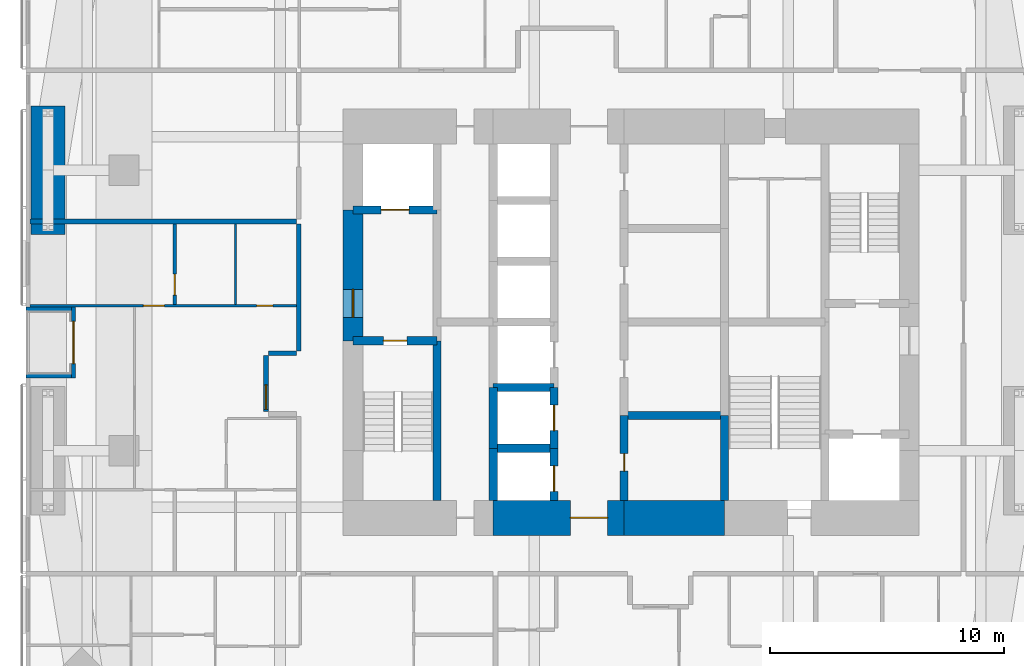
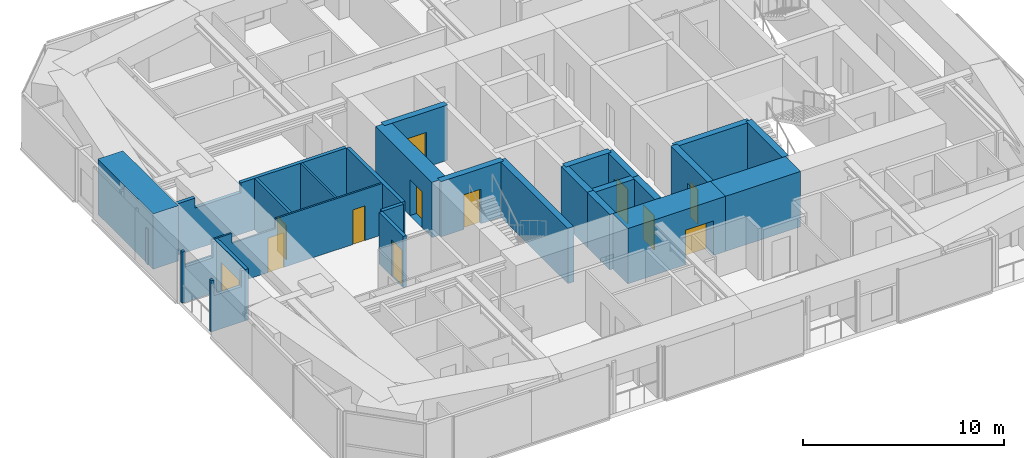
# One storey, part 18 of 23: 26 walls, 12 doors, 12 openings.
"""IFC4 building model written with IfcOpenShell, lengths in metres."""

from ifc_helpers import new_model, si_unit, direction, frame, frame_2d, origin, place, context, subcontext, project, spatial, polyline, rectangle, outline, extrude, material, layer, layer_set, constituent, constituent_set, type_object, element, fill, save


model = new_model("IFC4")

# Units and contexts
model_context = context("Model", 3, precision=1e-05, world=origin(), true_north=direction((0.0, 1.0)))
body_context = subcontext(model_context, "Body", "Model", "MODEL_VIEW")
ifc_project = project(units=[si_unit("LENGTHUNIT", "METRE"), si_unit("AREAUNIT", "SQUARE_METRE"), si_unit("VOLUMEUNIT", "CUBIC_METRE"), si_unit("PLANEANGLEUNIT", "RADIAN"), si_unit("MASSUNIT", "GRAM", prefix="KILO")], contexts=[model_context])

# Site, building, storey
site_placement = place(None, origin())
site = spatial("IfcSite", under=ifc_project, at=site_placement, CompositionType="ELEMENT")
building_placement = place(site_placement, origin())
building = spatial("IfcBuilding", under=site, at=building_placement, Name="Jalousie Tower", CompositionType="ELEMENT")
storey_placement = place(building_placement, frame((0.0, 0.0, 104.85009765625)))
storey = spatial("IfcBuildingStorey", under=building, at=storey_placement, Name="L28", CompositionType="ELEMENT", Elevation=104.85009765625)

# Wall, opening, door
ifc_material_1 = material(Name="Concrete block ASTM C90", Category="concrete")
ifc_constituent_1 = constituent(ifc_material_1, Name="Body")
ifc_material_2 = material(Name="Render")
ifc_constituent_2 = constituent(ifc_material_2, Name="Finish")
ifc_constituent_set_1 = constituent_set(constituents=[ifc_constituent_1, ifc_constituent_2])
wall_type_1 = type_object("IfcWallType", Name="BATHROOM WALL 150", PredefinedType="PLUMBINGWALL", material=ifc_constituent_set_1)
wall_1_placement = place(storey_placement, frame((12.375, 19.25, 0.0), z_axis=(0.0, 0.0, 1.0), x_axis=(0.0, 1.0, 0.0)))
wall_1 = element("IfcWall", 1, at=wall_1_placement, inside=storey, type_object=wall_type_1, Name="Bathroom Wall 150 L28", PredefinedType="PLUMBINGWALL", context=body_context, shape_type="SweptSolid", body=[
    extrude(rectangle(XDim=3.449951171875, YDim=0.14990234375, at=frame_2d((1.72509765625, 0.0))), origin(), (0.0, 0.0, 1.0), 3.10986328125),
])
opening_1_placement = place(wall_1_placement, frame((0.39990234375, 0.0, 0.0)))
opening_1 = element("IfcOpeningElement", 2, at=opening_1_placement, cuts=wall_1, Name="Opening D3", PredefinedType="OPENING", context=body_context, shape_type="SweptSolid", body=[
    extrude(rectangle(XDim=0.89990234375, YDim=2.10009765625, at=frame_2d((0.449951171875, 1.050048828125))), frame((0.0, 0.0849609375, 0.0), z_axis=(0.0, -1.0, 0.0), x_axis=(1.0, 0.0, 0.0)), (0.0, 0.0, 1.0), 0.169921875),
])
ifc_material_3 = material(Name="Timber door", Category="wood")
door_type_1 = type_object("IfcDoorType", Name="BATHROOM DOOR 900", OperationType="SINGLE_SWING_LEFT", PredefinedType="DOOR", material=ifc_material_3)
door_1_placement = place(opening_1_placement, frame((0.89990234375, 0.0, 0.0), z_axis=(0.0, 0.0, 1.0), x_axis=(-1.0, 0.0, 0.0)))
door_1 = element("IfcDoor", 3, at=door_1_placement, inside=storey, type_object=door_type_1, Name="Apartment 2805 bedroom 2 bathroom door", OperationType="SINGLE_SWING_RIGHT", OverallHeight=2.10009765625, OverallWidth=0.89990234375, PredefinedType="DOOR", context=body_context, shape_type="SweptSolid", body=[
    extrude(rectangle(XDim=0.89990234375, YDim=2.10009765625, at=frame_2d((0.449951171875, 1.050048828125))), frame((0.0, 0.02490234375, 0.0), z_axis=(0.0, -1.0, 0.0), x_axis=(1.0, 0.0, 0.0)), (0.0, 0.0, 1.0), 0.050048828125),
])
fill(opening_1, door_1)

ifc_material_4 = material(Name="Concrete f'c 120 MPa", Category="concrete")
ifc_layer_1 = layer(ifc_material_4, 1.5)
ifc_layer_set_1 = layer_set([ifc_layer_1], Name="Concrete f'c 120 MPa")
wall_type_2 = type_object("IfcWallType", Name="CORE WALL 1500", PredefinedType="SHEAR", material=ifc_layer_set_1)
wall_2_placement = place(storey_placement, frame((26.0, 10.125, 0.0), z_axis=(0.0, 0.0, 1.0), x_axis=(1.0, 0.0, 0.0)))
wall_2 = element("IfcWall", 4, at=wall_2_placement, inside=storey, type_object=wall_type_2, Name="Core wall SB L28", PredefinedType="SHEAR", context=body_context, shape_type="SweptSolid", body=[
    extrude(rectangle(XDim=5.60009765625, YDim=1.5, at=frame_2d((2.800048828125, 0.0))), origin(), (0.0, 0.0, 1.0), 3.349853515625),
])
opening_2_placement = place(wall_2_placement, frame((3.300048828125, 0.0, 0.0)))
opening_2 = element("IfcOpeningElement", 5, at=opening_2_placement, cuts=wall_2, Name="Opening D15", PredefinedType="OPENING", context=body_context, shape_type="SweptSolid", body=[
    extrude(rectangle(XDim=1.60009765625, YDim=2.10009765625, at=frame_2d((0.800048828125, 1.050048828125))), frame((0.0, 0.760009765625, 0.0), z_axis=(0.0, -1.0, 0.0), x_axis=(1.0, 0.0, 0.0)), (0.0, 0.0, 1.0), 1.52001953125),
])
ifc_material_5 = material(Name="Steel fire door", Category="steel")
door_type_2 = type_object("IfcDoorType", Name="LIFT LOBBY DOOR 1600", OperationType="DOUBLE_DOOR_SINGLE_SWING", PredefinedType="DOOR", material=ifc_material_5)
door_2_placement = place(opening_2_placement, origin())
door_2 = element("IfcDoor", 6, at=door_2_placement, inside=storey, type_object=door_type_2, Name="Lift lobby south door", OperationType="DOUBLE_DOOR_SINGLE_SWING", OverallHeight=2.10009765625, OverallWidth=1.60009765625, PredefinedType="DOOR", context=body_context, shape_type="SweptSolid", body=[
    extrude(rectangle(XDim=1.60009765625, YDim=2.10009765625, at=frame_2d((0.800048828125, 1.050048828125))), frame((0.0, 0.02490234375, 0.0), z_axis=(0.0, -1.0, 0.0), x_axis=(1.0, 0.0, 0.0)), (0.0, 0.0, 1.0), 0.050048828125),
])
fill(opening_2, door_2)

# Walls
wall_3_placement = place(storey_placement, frame((31.60009765625, 10.125, 0.0), z_axis=(0.0, 0.0, 1.0), x_axis=(1.0, 0.0, 0.0)))
element("IfcWall", 7, at=wall_3_placement, inside=storey, type_object=wall_type_2, Name="Core wall SC L28", PredefinedType="SHEAR", context=body_context, shape_type="SweptSolid", body=[
    extrude(rectangle(XDim=4.2998046875, YDim=1.5, at=frame_2d((2.14990234375, 0.0))), origin(), (0.0, 0.0, 1.0), 3.349853515625),
])
ifc_material_6 = material(Name="Concrete f'c 120 MPa", Category="concrete")
ifc_layer_2 = layer(ifc_material_6, 0.35009765625)
ifc_layer_set_2 = layer_set([ifc_layer_2], Name="Concrete f'c 120 MPa")
wall_type_3 = type_object("IfcWallType", Name="CORE WALL 350", PredefinedType="SHEAR", material=ifc_layer_set_2)
wall_4_placement = place(storey_placement, frame((23.60009765625, 10.875, 0.0), z_axis=(0.0, 0.0, 1.0), x_axis=(0.0, 1.0, 0.0)))
element("IfcWall", 8, at=wall_4_placement, inside=storey, type_object=wall_type_3, Name="Core wall X23.6A L28", PredefinedType="SHEAR", context=body_context, shape_type="SweptSolid", body=[
    extrude(rectangle(XDim=6.824951171875, YDim=0.35009765625, at=frame_2d((3.41259765625, 0.0))), origin(), (0.0, 0.0, 1.0), 3.349853515625),
])
wall_5_placement = place(storey_placement, frame((26.0, 10.875, 0.0), z_axis=(0.0, 0.0, 1.0), x_axis=(0.0, 1.0, 0.0)))
element("IfcWall", 9, at=wall_5_placement, inside=storey, type_object=wall_type_3, Name="Core wall X26A L28", PredefinedType="SHEAR", context=body_context, shape_type="SweptSolid", body=[
    extrude(rectangle(XDim=2.22509765625, YDim=0.35009765625, at=frame_2d((1.112548828125, 0.0))), origin(), (0.0, 0.0, 1.0), 3.349853515625),
])
wall_6_placement = place(storey_placement, frame((26.0, 13.10009765625, 0.0), z_axis=(0.0, 0.0, 1.0), x_axis=(0.0, 1.0, 0.0)))
element("IfcWall", 10, at=wall_6_placement, inside=storey, type_object=wall_type_3, Name="Core wall X26B L28", PredefinedType="SHEAR", context=body_context, shape_type="SweptSolid", body=[
    extrude(rectangle(XDim=2.599853515625, YDim=0.35009765625, at=frame_2d((1.2998046875, 0.0))), origin(), (0.0, 0.0, 1.0), 3.349853515625),
])

# Wall, opening, door
wall_7_placement = place(storey_placement, frame((28.60009765625, 10.875, 0.0), z_axis=(0.0, 0.0, 1.0), x_axis=(0.0, 1.0, 0.0)))
wall_7 = element("IfcWall", 11, at=wall_7_placement, inside=storey, type_object=wall_type_3, Name="Core wall X28.6A L28", PredefinedType="SHEAR", context=body_context, shape_type="SweptSolid", body=[
    extrude(rectangle(XDim=2.22509765625, YDim=0.35009765625, at=frame_2d((1.112548828125, 0.0))), origin(), (0.0, 0.0, 1.0), 3.349853515625),
])
opening_3_placement = place(wall_7_placement, frame((0.375, 0.0, 0.0)))
opening_3 = element("IfcOpeningElement", 12, at=opening_3_placement, cuts=wall_7, Name="Opening LD1", PredefinedType="OPENING", context=body_context, shape_type="SweptSolid", body=[
    extrude(rectangle(XDim=1.10009765625, YDim=2.10009765625, at=frame_2d((0.550048828125, 1.050048828125))), frame((0.0, 0.18505859375, 0.0), z_axis=(0.0, -1.0, 0.0), x_axis=(1.0, 0.0, 0.0)), (0.0, 0.0, 1.0), 0.3701171875),
])
ifc_material_7 = material(Name="Steel lift landing door", Category="steel")
door_type_3 = type_object("IfcDoorType", Name="LIFT LANDING DOOR 1100", OperationType="SLIDING_TO_LEFT", PredefinedType="DOOR", material=ifc_material_7)
door_3_placement = place(opening_3_placement, origin())
door_3 = element("IfcDoor", 13, at=door_3_placement, inside=storey, type_object=door_type_3, Name="Lift P1 landing door", OperationType="SLIDING_TO_LEFT", OverallHeight=2.10009765625, OverallWidth=1.10009765625, PredefinedType="DOOR", context=body_context, shape_type="SweptSolid", body=[
    extrude(rectangle(XDim=1.10009765625, YDim=2.10009765625, at=frame_2d((0.550048828125, 1.050048828125))), frame((0.0, 0.02490234375, 0.0), z_axis=(0.0, -1.0, 0.0), x_axis=(1.0, 0.0, 0.0)), (0.0, 0.0, 1.0), 0.050048828125),
])
fill(opening_3, door_3)

wall_8_placement = place(storey_placement, frame((28.60009765625, 13.10009765625, 0.0), z_axis=(0.0, 0.0, 1.0), x_axis=(0.0, 1.0, 0.0)))
wall_8 = element("IfcWall", 14, at=wall_8_placement, inside=storey, type_object=wall_type_3, Name="Core wall X28.6B L28", PredefinedType="SHEAR", context=body_context, shape_type="SweptSolid", body=[
    extrude(rectangle(XDim=2.599853515625, YDim=0.35009765625, at=frame_2d((1.2998046875, 0.0))), origin(), (0.0, 0.0, 1.0), 3.349853515625),
])
opening_4_placement = place(wall_8_placement, frame((0.75, 0.0, 0.0)))
opening_4 = element("IfcOpeningElement", 15, at=opening_4_placement, cuts=wall_8, Name="Opening LD1", PredefinedType="OPENING", context=body_context, shape_type="SweptSolid", body=[
    extrude(rectangle(XDim=1.10009765625, YDim=2.10009765625, at=frame_2d((0.550048828125, 1.050048828125))), frame((0.0, 0.18505859375, 0.0), z_axis=(0.0, -1.0, 0.0), x_axis=(1.0, 0.0, 0.0)), (0.0, 0.0, 1.0), 0.3701171875),
])
door_4_placement = place(opening_4_placement, origin())
door_4 = element("IfcDoor", 16, at=door_4_placement, inside=storey, type_object=door_type_3, Name="Lift P2 landing door", OperationType="SLIDING_TO_LEFT", OverallHeight=2.10009765625, OverallWidth=1.10009765625, PredefinedType="DOOR", context=body_context, shape_type="SweptSolid", body=[
    extrude(rectangle(XDim=1.10009765625, YDim=2.10009765625, at=frame_2d((0.550048828125, 1.050048828125))), frame((0.0, 0.02490234375, 0.0), z_axis=(0.0, -1.0, 0.0), x_axis=(1.0, 0.0, 0.0)), (0.0, 0.0, 1.0), 0.050048828125),
])
fill(opening_4, door_4)

wall_9_placement = place(storey_placement, frame((31.60009765625, 10.875, 0.0), z_axis=(0.0, 0.0, 1.0), x_axis=(0.0, 1.0, 0.0)))
wall_9 = element("IfcWall", 17, at=wall_9_placement, inside=storey, type_object=wall_type_3, Name="Core wall X31.6A L28", PredefinedType="SHEAR", context=body_context, shape_type="SweptSolid", body=[
    extrude(rectangle(XDim=3.625, YDim=0.35009765625, at=frame_2d((1.8125, 0.0))), origin(), (0.0, 0.0, 1.0), 3.349853515625),
])
opening_5_placement = place(wall_9_placement, frame((1.25, 0.0, 0.0)))
opening_5 = element("IfcOpeningElement", 18, at=opening_5_placement, cuts=wall_9, Name="Opening D16", PredefinedType="OPENING", context=body_context, shape_type="SweptSolid", body=[
    extrude(rectangle(XDim=0.75, YDim=2.10009765625, at=frame_2d((0.375, 1.050048828125))), frame((0.0, 0.18505859375, 0.0), z_axis=(0.0, -1.0, 0.0), x_axis=(1.0, 0.0, 0.0)), (0.0, 0.0, 1.0), 0.3701171875),
])
ifc_material_8 = material(Name="Steel fire door", Category="steel")
door_type_4 = type_object("IfcDoorType", Name="RISER DOOR 750", OperationType="SINGLE_SWING_LEFT", PredefinedType="DOOR", material=ifc_material_8)
door_5_placement = place(opening_5_placement, frame((0.75, 0.0, 0.0), z_axis=(0.0, 0.0, 1.0), x_axis=(-1.0, 0.0, 0.0)))
door_5 = element("IfcDoor", 19, at=door_5_placement, inside=storey, type_object=door_type_4, Name="Refuse Room door", OperationType="SINGLE_SWING_RIGHT", OverallHeight=2.10009765625, OverallWidth=0.75, PredefinedType="DOOR", context=body_context, shape_type="SweptSolid", body=[
    extrude(rectangle(XDim=0.75, YDim=2.10009765625, at=frame_2d((0.375, 1.050048828125))), frame((0.0, 0.02490234375, 0.0), z_axis=(0.0, -1.0, 0.0), x_axis=(1.0, 0.0, 0.0)), (0.0, 0.0, 1.0), 0.050048828125),
])
fill(opening_5, door_5)

# Wall
wall_10_placement = place(storey_placement, frame((35.89990234375, 10.875, 0.0), z_axis=(0.0, 0.0, 1.0), x_axis=(0.0, 1.0, 0.0)))
element("IfcWall", 20, at=wall_10_placement, inside=storey, type_object=wall_type_3, Name="Core wall X35.9A L28", PredefinedType="SHEAR", context=body_context, shape_type="SweptSolid", body=[
    extrude(rectangle(XDim=3.625, YDim=0.35009765625, at=frame_2d((1.8125, 0.0))), origin(), (0.0, 0.0, 1.0), 3.349853515625),
])

# Wall, opening, door
wall_11_placement = place(storey_placement, frame((20.0, 17.699951171875, 0.0), z_axis=(0.0, 0.0, 1.0), x_axis=(1.0, 0.0, 0.0)))
wall_11 = element("IfcWall", 21, at=wall_11_placement, inside=storey, type_object=wall_type_3, Name="Core wall Y20-17.7 L28", PredefinedType="SHEAR", context=body_context, shape_type="SweptSolid", body=[
    extrude(rectangle(XDim=3.60009765625, YDim=0.35009765625, at=frame_2d((1.800048828125, 0.0))), origin(), (0.0, 0.0, 1.0), 3.349853515625),
])
opening_6_placement = place(wall_11_placement, frame((1.300048828125, 0.0, 0.0)))
opening_6 = element("IfcOpeningElement", 22, at=opening_6_placement, cuts=wall_11, Name="Opening D10", PredefinedType="OPENING", context=body_context, shape_type="SweptSolid", body=[
    extrude(rectangle(XDim=1.0, YDim=2.10009765625, at=frame_2d((0.5, 1.050048828125))), frame((0.0, 0.18505859375, 0.0), z_axis=(0.0, -1.0, 0.0), x_axis=(1.0, 0.0, 0.0)), (0.0, 0.0, 1.0), 0.3701171875),
])
ifc_material_9 = material(Name="Steel fire door", Category="steel")
door_type_5 = type_object("IfcDoorType", Name="STAIR DOOR 1000", OperationType="SINGLE_SWING_LEFT", PredefinedType="DOOR", material=ifc_material_9)
door_6_placement = place(opening_6_placement, frame((1.0, 0.0, 0.0), z_axis=(0.0, 0.0, 1.0), x_axis=(-1.0, 0.0, 0.0)))
door_6 = element("IfcDoor", 23, at=door_6_placement, inside=storey, type_object=door_type_5, Name="Exit stair A door", OperationType="SINGLE_SWING_RIGHT", OverallHeight=2.10009765625, OverallWidth=1.0, PredefinedType="DOOR", context=body_context, shape_type="SweptSolid", body=[
    extrude(rectangle(XDim=1.0, YDim=2.10009765625, at=frame_2d((0.5, 1.050048828125))), frame((0.0, 0.02490234375, 0.0), z_axis=(0.0, -1.0, 0.0), x_axis=(1.0, 0.0, 0.0)), (0.0, 0.0, 1.0), 0.050048828125),
])
fill(opening_6, door_6)

wall_12_placement = place(storey_placement, frame((20.0, 23.300048828125, 0.0), z_axis=(0.0, 0.0, 1.0), x_axis=(1.0, 0.0, 0.0)))
wall_12 = element("IfcWall", 24, at=wall_12_placement, inside=storey, type_object=wall_type_3, Name="Core wall Y20-23.3 L28", PredefinedType="SHEAR", context=body_context, shape_type="SweptSolid", body=[
    extrude(rectangle(XDim=3.60009765625, YDim=0.35009765625, at=frame_2d((1.800048828125, 0.0))), origin(), (0.0, 0.0, 1.0), 3.349853515625),
])
opening_7_placement = place(wall_12_placement, frame((1.199951171875, 0.0, 0.0)))
opening_7 = element("IfcOpeningElement", 25, at=opening_7_placement, cuts=wall_12, Name="Opening LD2", PredefinedType="OPENING", context=body_context, shape_type="SweptSolid", body=[
    extrude(rectangle(XDim=1.199951171875, YDim=2.10009765625, at=frame_2d((0.60009765625, 1.050048828125))), frame((0.0, 0.18505859375, 0.0), z_axis=(0.0, -1.0, 0.0), x_axis=(1.0, 0.0, 0.0)), (0.0, 0.0, 1.0), 0.3701171875),
])
ifc_material_10 = material(Name="Steel lift landing door", Category="steel")
door_type_6 = type_object("IfcDoorType", Name="LIFT LANDING DOOR 1200", OperationType="SLIDING_TO_LEFT", PredefinedType="DOOR", material=ifc_material_10)
door_7_placement = place(opening_7_placement, origin())
door_7 = element("IfcDoor", 26, at=door_7_placement, inside=storey, type_object=door_type_6, Name="Lift F1 landing door", OperationType="SLIDING_TO_LEFT", OverallHeight=2.10009765625, OverallWidth=1.199951171875, PredefinedType="DOOR", context=body_context, shape_type="SweptSolid", body=[
    extrude(rectangle(XDim=1.199951171875, YDim=2.10009765625, at=frame_2d((0.60009765625, 1.050048828125))), frame((0.0, 0.02490234375, 0.0), z_axis=(0.0, -1.0, 0.0), x_axis=(1.0, 0.0, 0.0)), (0.0, 0.0, 1.0), 0.050048828125),
])
fill(opening_7, door_7)

# Walls
for number, where, z_axis, x_axis, name in (
    (27, (26.0, 13.10009765625, 0.0), (0.0, 0.0, 1.0), (1.0, 0.0, 0.0), "Core wall Y26-13.1 L28"),
    (28, (26.0, 15.699951171875, 0.0), (0.0, 0.0, 1.0), (1.0, 0.0, 0.0), "Core wall Y26-15.7 L28"),
):
    element("IfcWall", number, at=place(storey_placement, frame(where, z_axis=z_axis, x_axis=x_axis)), inside=storey, type_object=wall_type_3, Name=name, PredefinedType="SHEAR", context=body_context, shape_type="SweptSolid", body=[
        extrude(rectangle(XDim=2.60009765625, YDim=0.35009765625, at=frame_2d((1.300048828125, 0.0))), origin(), (0.0, 0.0, 1.0), 3.349853515625),
    ])
wall_13_placement = place(storey_placement, frame((31.60009765625, 14.5, 0.0), z_axis=(0.0, 0.0, 1.0), x_axis=(1.0, 0.0, 0.0)))
element("IfcWall", 29, at=wall_13_placement, inside=storey, type_object=wall_type_3, Name="Core wall Y31.6-14.5 L28", PredefinedType="SHEAR", context=body_context, shape_type="SweptSolid", body=[
    extrude(rectangle(XDim=4.2998046875, YDim=0.35009765625, at=frame_2d((2.14990234375, 0.0))), origin(), (0.0, 0.0, 1.0), 3.349853515625),
])

# Wall, opening, door
ifc_material_11 = material(Name="Concrete f'c 120 MPa", Category="concrete")
ifc_layer_3 = layer(ifc_material_11, 0.85009765625)
ifc_layer_set_3 = layer_set([ifc_layer_3], Name="Concrete f'c 120 MPa")
wall_type_4 = type_object("IfcWallType", Name="CORE WALL 850", PredefinedType="SHEAR", material=ifc_layer_set_3)
wall_14_placement = place(storey_placement, frame((20.0, 23.300048828125, 0.0), z_axis=(0.0, 0.0, 1.0), x_axis=(0.0, -1.0, 0.0)))
wall_14 = element("IfcWall", 30, at=wall_14_placement, inside=storey, type_object=wall_type_4, Name="Core wall WB L28", PredefinedType="SHEAR", context=body_context, shape_type="SweptSolid", body=[
    extrude(rectangle(XDim=5.60009765625, YDim=0.85009765625, at=frame_2d((2.800048828125, 0.0))), origin(), (0.0, 0.0, 1.0), 3.349853515625),
])
opening_8_placement = place(wall_14_placement, frame((3.39990234375, 0.0, 0.0)))
opening_8 = element("IfcOpeningElement", 31, at=opening_8_placement, cuts=wall_14, Name="Opening D11", PredefinedType="OPENING", context=body_context, shape_type="SweptSolid", body=[
    extrude(rectangle(XDim=1.199951171875, YDim=2.199951171875, at=frame_2d((0.60009765625, 1.10009765625))), frame((0.0, 0.43505859375, 0.0), z_axis=(0.0, -1.0, 0.0), x_axis=(1.0, 0.0, 0.0)), (0.0, 0.0, 1.0), 0.8701171875),
])
ifc_material_12 = material(Name="Steel fire door", Category="steel")
door_type_7 = type_object("IfcDoorType", Name="FIRE DOOR 1200", OperationType="SINGLE_SWING_LEFT", PredefinedType="DOOR", material=ifc_material_12)
door_8_placement = place(opening_8_placement, origin())
door_8 = element("IfcDoor", 32, at=door_8_placement, inside=storey, type_object=door_type_7, Name="Fire-fighting lobby A door", OperationType="SINGLE_SWING_RIGHT", OverallHeight=2.199951171875, OverallWidth=1.199951171875, PredefinedType="DOOR", context=body_context, shape_type="SweptSolid", body=[
    extrude(rectangle(XDim=1.199951171875, YDim=2.199951171875, at=frame_2d((0.60009765625, 1.10009765625))), frame((0.0, 0.02490234375, 0.0), z_axis=(0.0, -1.0, 0.0), x_axis=(1.0, 0.0, 0.0)), (0.0, 0.0, 1.0), 0.050048828125),
])
fill(opening_8, door_8)

# Wall
ifc_material_13 = material(Name="Concrete block ASTM C90", Category="concrete")
ifc_constituent_3 = constituent(ifc_material_13, Name="Body")
ifc_material_14 = material(Name="Render")
ifc_constituent_4 = constituent(ifc_material_14, Name="Finish")
ifc_constituent_set_2 = constituent_set(constituents=[ifc_constituent_3, ifc_constituent_4])
wall_type_5 = type_object("IfcWallType", Name="CORRIDOR WALL 200", PredefinedType="PARTITIONING", material=ifc_constituent_set_2)
wall_15_placement = place(storey_placement, frame((17.675048828125, 17.262451171875, 0.0), z_axis=(0.0, 0.0, 1.0), x_axis=(0.0, 1.0, 0.0)))
element("IfcWall", 33, at=wall_15_placement, inside=storey, type_object=wall_type_5, Name="Corridor Wall 200 L28", PredefinedType="PARTITIONING", context=body_context, shape_type="SweptSolid", body=[
    extrude(rectangle(XDim=5.4375, YDim=0.199951171875, at=frame_2d((2.71875, 0.0))), origin(), (0.0, 0.0, 1.0), 3.10986328125),
])

# Wall, opening, door
wall_16_placement = place(storey_placement, frame((16.27490234375, 14.66259765625, 0.0), z_axis=(0.0, 0.0, 1.0), x_axis=(0.0, 1.0, 0.0)))
wall_16 = element("IfcWall", 34, at=wall_16_placement, inside=storey, type_object=wall_type_5, Name="Corridor Wall 200 L28", PredefinedType="PARTITIONING", context=body_context, shape_type="SweptSolid", body=[
    extrude(rectangle(XDim=2.39990234375, YDim=0.199951171875, at=frame_2d((1.199951171875, 0.0))), origin(), (0.0, 0.0, 1.0), 3.10986328125),
])
opening_9_placement = place(wall_16_placement, frame((0.10009765625, 0.0, 0.0)))
opening_9 = element("IfcOpeningElement", 35, at=opening_9_placement, cuts=wall_16, Name="Opening D1", PredefinedType="OPENING", context=body_context, shape_type="SweptSolid", body=[
    extrude(rectangle(XDim=1.050048828125, YDim=2.199951171875, at=frame_2d((0.52490234375, 1.10009765625))), frame((0.0, 0.10986328125, 0.0), z_axis=(0.0, -1.0, 0.0), x_axis=(1.0, 0.0, 0.0)), (0.0, 0.0, 1.0), 0.219970703125),
])
ifc_material_15 = material(Name="Timber fire door", Category="wood")
door_type_8 = type_object("IfcDoorType", Name="APARTMENT ENTRANCE DOOR 1050", OperationType="SINGLE_SWING_LEFT", PredefinedType="DOOR", material=ifc_material_15)
door_9_placement = place(opening_9_placement, origin())
door_9 = element("IfcDoor", 36, at=door_9_placement, inside=storey, type_object=door_type_8, Name="Apartment 2805 entrance", OperationType="SINGLE_SWING_LEFT", OverallHeight=2.199951171875, OverallWidth=1.050048828125, PredefinedType="DOOR", context=body_context, shape_type="SweptSolid", body=[
    extrude(rectangle(XDim=1.050048828125, YDim=2.199951171875, at=frame_2d((0.52490234375, 1.10009765625))), frame((0.0, 0.02490234375, 0.0), z_axis=(0.0, -1.0, 0.0), x_axis=(1.0, 0.0, 0.0)), (0.0, 0.0, 1.0), 0.050048828125),
])
fill(opening_9, door_9)

# Wall
wall_17_placement = place(storey_placement, frame((17.574951171875, 17.16259765625, 0.0), z_axis=(0.0, 0.0, 1.0), x_axis=(-1.0, 0.0, 0.0)))
element("IfcWall", 37, at=wall_17_placement, inside=storey, type_object=wall_type_5, Name="Corridor Wall 200 L28", PredefinedType="PARTITIONING", context=body_context, shape_type="SweptSolid", body=[
    extrude(rectangle(XDim=1.199951171875, YDim=0.199951171875, at=frame_2d((0.60009765625, 0.0))), origin(), (0.0, 0.0, 1.0), 3.10986328125),
])

# Wall, opening, door
ifc_material_16 = material(Name="Concrete f'c 40 MPa", Category="concrete")
ifc_constituent_5 = constituent(ifc_material_16, Name="Body")
ifc_material_17 = material(Name="Render, pastel sea green")
ifc_constituent_6 = constituent(ifc_material_17, Name="Finish")
ifc_constituent_set_3 = constituent_set(constituents=[ifc_constituent_5, ifc_constituent_6])
wall_type_6 = type_object("IfcWallType", Name="EXTERNAL WALL 175 SEA GREEN RENDER", PredefinedType="SOLIDWALL", material=ifc_constituent_set_3)
wall_18_placement = place(storey_placement, frame((8.03759765625, 19.14990234375, 0.0), z_axis=(0.0, 0.0, 1.0), x_axis=(0.0, -1.0, 0.0)))
wall_18 = element("IfcWall", 38, at=wall_18_placement, inside=storey, type_object=wall_type_6, Name="External Wall 175 Sea Green Render L28", PredefinedType="SOLIDWALL", context=body_context, shape_type="SweptSolid", body=[
    extrude(rectangle(XDim=3.0498046875, YDim=0.175048828125, at=frame_2d((1.52490234375, 0.0))), origin(), (0.0, 0.0, 1.0), 3.10986328125),
])
opening_10_placement = place(wall_18_placement, frame((0.625, 0.0, 0.0)))
opening_10 = element("IfcOpeningElement", 39, at=opening_10_placement, cuts=wall_18, Name="Opening D-BAL21", PredefinedType="OPENING", context=body_context, shape_type="SweptSolid", body=[
    extrude(rectangle(XDim=1.800048828125, YDim=2.10009765625, at=frame_2d((0.89990234375, 1.050048828125))), frame((0.0, 0.097412109375, 0.0), z_axis=(0.0, -1.0, 0.0), x_axis=(1.0, 0.0, 0.0)), (0.0, 0.0, 1.0), 0.195068359375),
])
ifc_material_18 = material(Name="Aluminium frame, impact-rated glazing", Category="aluminium")
door_type_9 = type_object("IfcDoorType", Name="BALCONY DOOR 1800x2100", OperationType="SLIDING_TO_LEFT", PredefinedType="DOOR", material=ifc_material_18)
door_10_placement = place(opening_10_placement, origin())
door_10 = element("IfcDoor", 40, at=door_10_placement, inside=storey, type_object=door_type_9, Name="Apartment 2805 living and dining room loggia door", OperationType="SLIDING_TO_LEFT", OverallHeight=2.10009765625, OverallWidth=1.800048828125, PredefinedType="DOOR", context=body_context, shape_type="SweptSolid", body=[
    extrude(rectangle(XDim=1.800048828125, YDim=2.10009765625, at=frame_2d((0.89990234375, 1.050048828125))), frame((0.0, 0.02490234375, 0.0), z_axis=(0.0, -1.0, 0.0), x_axis=(1.0, 0.0, 0.0)), (0.0, 0.0, 1.0), 0.050048828125),
])
fill(opening_10, door_10)

# Walls
for number, where, z_axis, x_axis, name in (
    (41, (6.0, 19.0625, 0.0), (0.0, 0.0, 1.0), (1.0, 0.0, 0.0), "External Wall 175 Sea Green Render L28"),
    (42, (6.0, 16.1875, 0.0), (0.0, 0.0, 1.0), (1.0, 0.0, 0.0), "External Wall 175 Sea Green Render L28"),
):
    element("IfcWall", number, at=place(storey_placement, frame(where, z_axis=z_axis, x_axis=x_axis)), inside=storey, type_object=wall_type_6, Name=name, PredefinedType="SOLIDWALL", context=body_context, shape_type="SweptSolid", body=[
        extrude(outline(polyline([(0.0, 0.0), (1.949951171875, 0.0), (1.949951171875, 3.10986328125), (1.75, 3.10986328125), (1.75, 2.14990234375), (0.14990234375, 2.14990234375), (0.14990234375, 3.10986328125), (0.0, 3.10986328125), (0.0, 0.0)])), frame((0.0, 0.08740234375, 0.0), z_axis=(0.0, -1.0, 0.0), x_axis=(1.0, 0.0, 0.0)), (0.0, 0.0, 1.0), 0.175048828125),
    ])

# Wall, openings, doors
ifc_material_19 = material(Name="Gypsum board", Category="gypsum")
ifc_constituent_7 = constituent(ifc_material_19, Name="Body")
ifc_material_20 = material(Name="Light-gauge steel studs ASTM A653 SS Grade 33", Category="steel")
ifc_constituent_8 = constituent(ifc_material_20, Name="Framing")
ifc_constituent_set_4 = constituent_set(constituents=[ifc_constituent_7, ifc_constituent_8])
wall_type_7 = type_object("IfcWallType", Name="PARTITION 100", PredefinedType="PARTITIONING", material=ifc_constituent_set_4)
wall_19_placement = place(storey_placement, frame((6.175048828125, 19.199951171875, 0.0), z_axis=(0.0, 0.0, 1.0), x_axis=(1.0, 0.0, 0.0)))
wall_19 = element("IfcWall", 43, at=wall_19_placement, inside=storey, type_object=wall_type_7, Name="Partition 100 L28", PredefinedType="PARTITIONING", context=body_context, shape_type="SweptSolid", body=[
    extrude(outline(polyline([(0.0, 0.0), (11.39990234375, 0.0), (11.39990234375, 3.10986328125), (5.284912109375, 3.10986328125), (5.284912109375, 2.510009765625), (2.764892578125, 2.510009765625), (2.764892578125, 3.10986328125), (1.635009765625, 3.10986328125), (1.635009765625, 2.14990234375), (0.0, 2.14990234375), (0.0, 3.10986328125), (0.0, 0.0)])), frame((0.0, 0.050048828125, 0.0), z_axis=(0.0, -1.0, 0.0), x_axis=(1.0, 0.0, 0.0)), (0.0, 0.0, 1.0), 0.10009765625),
])
opening_11_placement = place(wall_19_placement, frame((4.85009765625, 0.0, 0.0)))
opening_11 = element("IfcOpeningElement", 44, at=opening_11_placement, cuts=wall_19, Name="Opening D2", PredefinedType="OPENING", context=body_context, shape_type="SweptSolid", body=[
    extrude(rectangle(XDim=0.89990234375, YDim=2.10009765625, at=frame_2d((0.449951171875, 1.050048828125))), frame((0.0, 0.06005859375, 0.0), z_axis=(0.0, -1.0, 0.0), x_axis=(1.0, 0.0, 0.0)), (0.0, 0.0, 1.0), 0.1201171875),
])
opening_12_placement = place(wall_19_placement, frame((9.699951171875, 0.0, 0.0)))
opening_12 = element("IfcOpeningElement", 45, at=opening_12_placement, cuts=wall_19, Name="Opening D4", PredefinedType="OPENING", context=body_context, shape_type="SweptSolid", body=[
    extrude(rectangle(XDim=0.699951171875, YDim=2.10009765625, at=frame_2d((0.35009765625, 1.050048828125))), frame((0.0, 0.06005859375, 0.0), z_axis=(0.0, -1.0, 0.0), x_axis=(1.0, 0.0, 0.0)), (0.0, 0.0, 1.0), 0.1201171875),
])
ifc_material_21 = material(Name="Timber door", Category="wood")
door_type_10 = type_object("IfcDoorType", Name="BEDROOM DOOR 900", OperationType="SINGLE_SWING_LEFT", PredefinedType="DOOR", material=ifc_material_21)
door_11_placement = place(opening_11_placement, origin())
door_11 = element("IfcDoor", 46, at=door_11_placement, inside=storey, type_object=door_type_10, Name="Apartment 2805 bedroom 2 door", OperationType="SINGLE_SWING_RIGHT", OverallHeight=2.10009765625, OverallWidth=0.89990234375, PredefinedType="DOOR", context=body_context, shape_type="SweptSolid", body=[
    extrude(rectangle(XDim=0.89990234375, YDim=2.10009765625, at=frame_2d((0.449951171875, 1.050048828125))), frame((0.0, 0.02490234375, 0.0), z_axis=(0.0, -1.0, 0.0), x_axis=(1.0, 0.0, 0.0)), (0.0, 0.0, 1.0), 0.050048828125),
])
fill(opening_11, door_11)
ifc_material_22 = material(Name="Timber door", Category="wood")
door_type_11 = type_object("IfcDoorType", Name="STORE DOOR 700", OperationType="SINGLE_SWING_LEFT", PredefinedType="DOOR", material=ifc_material_22)
door_12_placement = place(opening_12_placement, origin())
door_12 = element("IfcDoor", 47, at=door_12_placement, inside=storey, type_object=door_type_11, Name="Apartment 2805 store door", OperationType="SINGLE_SWING_LEFT", OverallHeight=2.10009765625, OverallWidth=0.699951171875, PredefinedType="DOOR", context=body_context, shape_type="SweptSolid", body=[
    extrude(rectangle(XDim=0.699951171875, YDim=2.10009765625, at=frame_2d((0.35009765625, 1.050048828125))), frame((0.0, 0.02490234375, 0.0), z_axis=(0.0, -1.0, 0.0), x_axis=(1.0, 0.0, 0.0)), (0.0, 0.0, 1.0), 0.050048828125),
])
fill(opening_12, door_12)

# Walls
wall_20_placement = place(storey_placement, frame((14.97509765625, 19.25, 0.0), z_axis=(0.0, 0.0, 1.0), x_axis=(0.0, 1.0, 0.0)))
element("IfcWall", 48, at=wall_20_placement, inside=storey, type_object=wall_type_7, Name="Partition 100 L28", PredefinedType="PARTITIONING", context=body_context, shape_type="SweptSolid", body=[
    extrude(rectangle(XDim=3.449951171875, YDim=0.10009765625, at=frame_2d((1.72509765625, 0.0))), origin(), (0.0, 0.0, 1.0), 3.10986328125),
])
ifc_material_23 = material(Name="Concrete block ASTM C90", Category="concrete")
ifc_constituent_9 = constituent(ifc_material_23, Name="Body")
ifc_material_24 = material(Name="Render")
ifc_constituent_10 = constituent(ifc_material_24, Name="Finish")
ifc_constituent_set_5 = constituent_set(constituents=[ifc_constituent_9, ifc_constituent_10])
wall_type_8 = type_object("IfcWallType", Name="PARTY WALL 200", PredefinedType="PARTITIONING", material=ifc_constituent_set_5)
wall_21_placement = place(storey_placement, frame((6.175048828125, 22.800048828125, 0.0), z_axis=(0.0, 0.0, 1.0), x_axis=(1.0, 0.0, 0.0)))
element("IfcWall", 49, at=wall_21_placement, inside=storey, type_object=wall_type_8, Name="Party Wall 200 L28", PredefinedType="PARTITIONING", context=body_context, shape_type="SweptSolid", body=[
    extrude(outline(polyline([(0.0, 0.0), (11.39990234375, 0.0), (11.39990234375, 3.10986328125), (5.3349609375, 3.10986328125), (5.3349609375, 2.510009765625), (2.715087890625, 2.510009765625), (2.715087890625, 3.10986328125), (1.68505859375, 3.10986328125), (1.68505859375, 2.14990234375), (0.0, 2.14990234375), (0.0, 0.0)])), frame((0.0, 0.10009765625, 0.0), z_axis=(0.0, -1.0, 0.0), x_axis=(1.0, 0.0, 0.0)), (0.0, 0.0, 1.0), 0.199951171875),
])
ifc_material_25 = material(Name="Concrete f'c 120 MPa", Category="concrete")
ifc_layer_4 = layer(ifc_material_25, 1.449951171875)
ifc_layer_set_4 = layer_set([ifc_layer_4], Name="Concrete f'c 120 MPa")
wall_type_9 = type_object("IfcWallType", Name="RC WALL PIER 1450", PredefinedType="SHEAR", material=ifc_layer_set_4)
wall_22_placement = place(storey_placement, frame((6.949951171875, 22.25, 0.0), z_axis=(0.0, 0.0, 1.0), x_axis=(0.0, 1.0, 0.0)))
element("IfcWall", 50, at=wall_22_placement, inside=storey, type_object=wall_type_9, Name="Wall pier 13 L28", PredefinedType="SHEAR", context=body_context, shape_type="SweptSolid", body=[
    extrude(rectangle(XDim=5.5, YDim=1.449951171875, at=frame_2d((2.75, 0.0))), origin(), (0.0, 0.0, 1.0), 3.349853515625),
])

save(model, "model.ifc")
